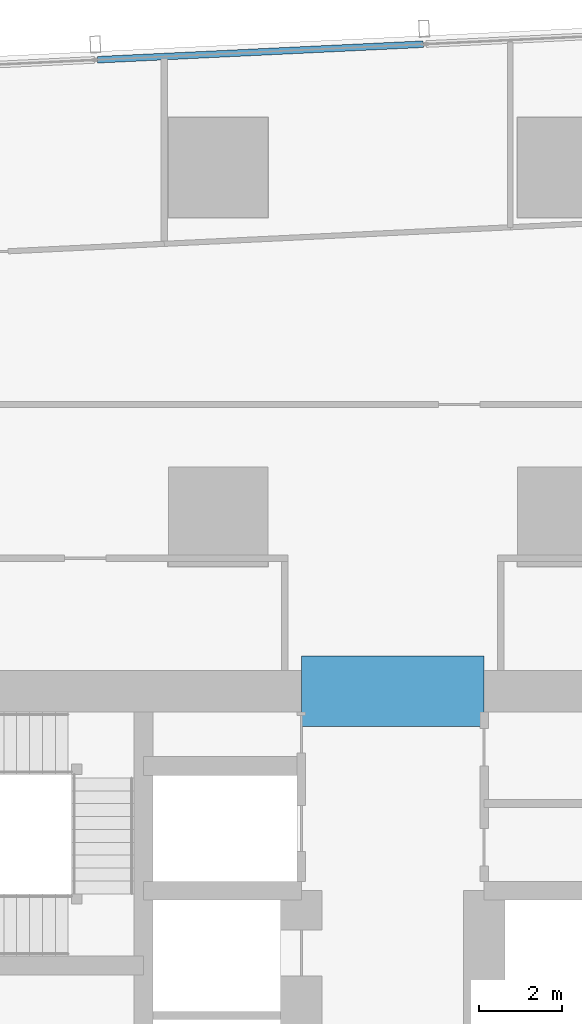
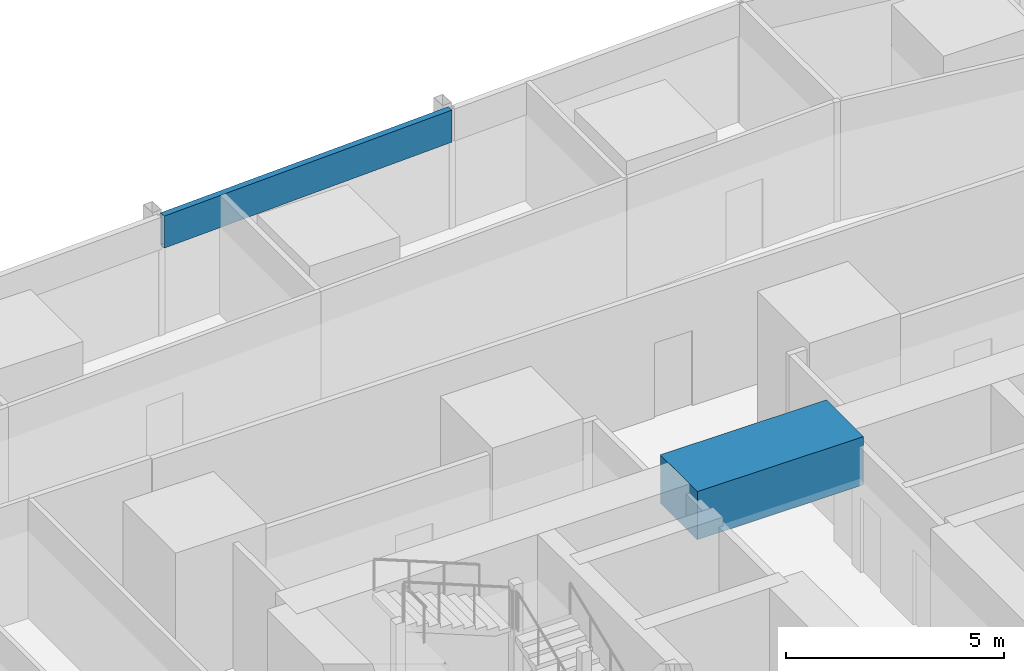
# One storey, part 18 of 37: 1 beam, 1 member, 1 element without a shape of its own.
"""IFC4 building model written with IfcOpenShell, lengths in metres."""

from ifc_helpers import new_model, si_unit, direction, frame, origin, origin_2d, place, context, subcontext, project, spatial, rectangle, hollow_rectangle, extrude, material, material_profile, profile_set, type_object, element, aggregate, save


model = new_model("IFC4")

# Units and contexts
model_context = context("Model", 3, precision=1e-05, world=origin(), true_north=direction((0.0, 1.0)))
body_context = subcontext(model_context, "Body", "Model", "MODEL_VIEW")
ifc_project = project(units=[si_unit("LENGTHUNIT", "METRE"), si_unit("AREAUNIT", "SQUARE_METRE"), si_unit("VOLUMEUNIT", "CUBIC_METRE"), si_unit("PLANEANGLEUNIT", "RADIAN"), si_unit("MASSUNIT", "GRAM", prefix="KILO")], contexts=[model_context])

# Site, building, storey
site_placement = place(None, origin())
site = spatial("IfcSite", under=ifc_project, at=site_placement, CompositionType="ELEMENT")
building_placement = place(site_placement, origin())
building = spatial("IfcBuilding", under=site, at=building_placement, Name="Rekha Terrace Tower", CompositionType="ELEMENT")
storey_placement = place(building_placement, frame((0.0, 0.0, 232.699951171875)))
storey = spatial("IfcBuildingStorey", under=building, at=storey_placement, Name="L59", CompositionType="ELEMENT", Elevation=232.699951171875)

# Curtain wall, member
ifc_material_1 = material(Name="Aluminium framing", Category="aluminium")
curtain_wall_type = type_object("IfcCurtainWallType", Name="CW3 north unitised glazing", PredefinedType="USERDEFINED", material=ifc_material_1)
curtain_wall_placement = place(storey_placement, origin())
curtain_wall = element("IfcCurtainWall", 1, at=curtain_wall_placement, inside=storey, type_object=curtain_wall_type, Name="CW3 unitised curtain wall", ObjectType="UNITISED CURTAIN WALL", PredefinedType="USERDEFINED")
ifc_material_2 = material(Name="Insulated aluminium spandrel box", Category="aluminium")
ifc_material_profile_1 = material_profile(ifc_material_2, hollow_rectangle(XDim=0.159912109375, YDim=0.89990234375, WallThickness=0.0029296875, at=origin_2d()), Name="AL SPANDREL BOX 160x900")
ifc_profile_set_1 = profile_set([ifc_material_profile_1], Name="Insulated aluminium spandrel box")
member_type = type_object("IfcMemberType", Name="CW3 spandrel transom 160 x 900", PredefinedType="USERDEFINED", material=ifc_profile_set_1)
member_placement = place(storey_placement, frame((38.53515625, 61.76953125, 3.050048828125), z_axis=(-0.998859252362, -0.047751376635, 0.0), x_axis=(0.047751376635, -0.998859252362, 0.0)))
member = element("IfcMember", 2, at=member_placement, type_object=member_type, Name="CW3 spandrel transom 2", ObjectType="TRANSOM", PredefinedType="USERDEFINED", context=body_context, shape_type="SweptSolid", body=[
    extrude(hollow_rectangle(XDim=0.159912109375, YDim=0.89990234375, WallThickness=0.0029296875, at=origin_2d()), origin(), (0.0, 0.0, 1.0), 7.84814453125),
])
aggregate(curtain_wall, [member])

# Beam
ifc_material_3 = material(Name="Concrete M60", Category="concrete")
ifc_material_profile_2 = material_profile(ifc_material_3, rectangle(XDim=1.699951171875, YDim=1.35009765625, at=origin_2d()), Name="RC 1700x1350")
ifc_profile_set_2 = profile_set([ifc_material_profile_2], Name="Concrete M60")
beam_type = type_object("IfcBeamType", Name="LB3A 1700x1350 diagonally reinforced coupling beam", PredefinedType="LINTEL", material=ifc_profile_set_2)
beam_placement = place(storey_placement, frame((35.60009765625, 46.199951171875, 3.074951171875), z_axis=(1.0, 0.0, 0.0), x_axis=(0.0, 1.0, 0.0)))
element("IfcBeam", 3, at=beam_placement, inside=storey, type_object=beam_type, Name="Coupling beam LB3A N L59", PredefinedType="LINTEL", context=body_context, shape_type="SweptSolid", body=[
    extrude(rectangle(XDim=1.699951171875, YDim=1.35009765625, at=origin_2d()), origin(), (0.0, 0.0, 1.0), 4.39990234375),
])

save(model, "model.ifc")
